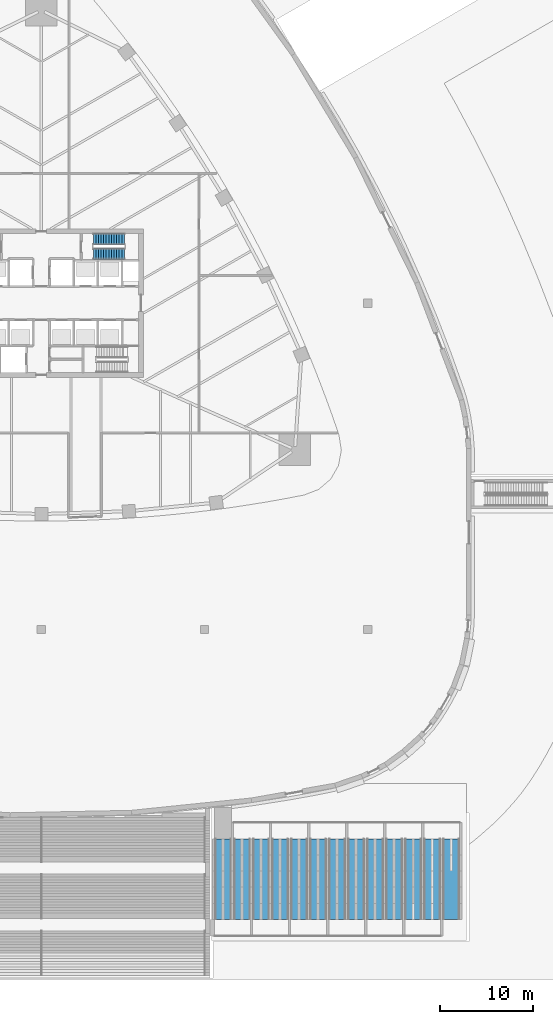
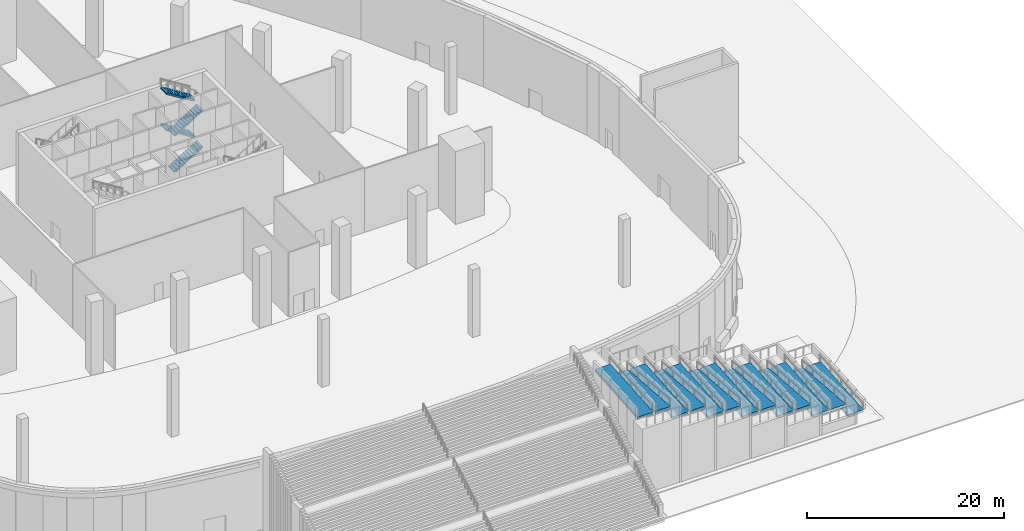
# One storey, part 16 of 29: 13 ramp flights, 4 stair flights, 2 elements without a shape of their own.
"""IFC4 building model written with IfcOpenShell, lengths in metres."""

from ifc_helpers import new_model, si_unit, direction, frame, origin, place, context, subcontext, project, spatial, polyline, outline, extrude, material, type_object, element, aggregate, save


model = new_model("IFC4")

# Units and contexts
model_context = context("Model", 3, precision=1e-05, world=origin(), true_north=direction((0.0, 1.0)))
body_context = subcontext(model_context, "Body", "Model", "MODEL_VIEW")
ifc_project = project(units=[si_unit("LENGTHUNIT", "METRE"), si_unit("AREAUNIT", "SQUARE_METRE"), si_unit("VOLUMEUNIT", "CUBIC_METRE"), si_unit("PLANEANGLEUNIT", "RADIAN"), si_unit("MASSUNIT", "GRAM", prefix="KILO")], contexts=[model_context])

# Site, building, storey
site_placement = place(None, origin())
site = spatial("IfcSite", under=ifc_project, at=site_placement, CompositionType="ELEMENT")
building_placement = place(site_placement, origin())
building = spatial("IfcBuilding", under=site, at=building_placement, Name="Sierra Prisma Convention Tower", CompositionType="ELEMENT")
storey_placement = place(building_placement, origin())
storey = spatial("IfcBuildingStorey", under=building, at=storey_placement, Name="L00", CompositionType="ELEMENT", Elevation=0.0)

# Stair, stair flights
ifc_material_1 = material(Name="Concrete C30/37", Category="concrete")
stair_type = type_object("IfcStairType", Name="Stair dog-leg 1200 RC", PredefinedType="HALF_TURN_STAIR", material=ifc_material_1)
stair_placement = place(storey_placement, origin())
stair = element("IfcStair", 1, at=stair_placement, inside=storey, type_object=stair_type, Name="L00 S4", PredefinedType="HALF_TURN_STAIR")
ifc_material_2 = material(Name="Concrete C30/37", Category="concrete")
stair_flight_type = type_object("IfcStairFlightType", Name="Stair flight RC 1200", PredefinedType="STRAIGHT", material=ifc_material_2)
stair_flight_1_placement = place(storey_placement, frame((5.60009765625, 5.300048828125, 0.0), z_axis=(0.0, 0.0, 1.0), x_axis=(1.0, 0.0, 0.0)))
stair_flight_1 = element("IfcStairFlight", 2, at=stair_flight_1_placement, type_object=stair_flight_type, Name="S4 flight 1", NumberOfRisers=13, NumberOfTreads=12, PredefinedType="STRAIGHT", RiserHeight=0.173076923, TreadLength=0.28, context=body_context, shape_type="SweptSolid", body=[
    extrude(outline(polyline([(0.0, 0.0), (0.0, 0.173095703125), (0.280029296875, 0.173095703125), (0.280029296875, 0.34619140625), (0.56005859375, 0.34619140625), (0.56005859375, 0.519287109375), (0.840087890625, 0.519287109375), (0.840087890625, 0.6923828125), (1.1201171875, 0.6923828125), (1.1201171875, 0.865478515625), (1.39990234375, 0.865478515625), (1.39990234375, 1.03857421875), (1.679931640625, 1.03857421875), (1.679931640625, 1.21142578125), (1.9599609375, 1.21142578125), (1.9599609375, 1.384521484375), (2.239990234375, 1.384521484375), (2.239990234375, 1.5576171875), (2.52001953125, 1.5576171875), (2.52001953125, 1.730712890625), (2.800048828125, 1.730712890625), (2.800048828125, 1.90380859375), (3.080078125, 1.90380859375), (3.080078125, 2.076904296875), (3.360107421875, 2.076904296875), (3.360107421875, 2.25), (3.360107421875, 1.900634765625), (0.28515625, 0.0), (0.0, 0.0)])), frame((0.0, 0.60009765625, 0.0), z_axis=(0.0, -1.0, 0.0), x_axis=(1.0, 0.0, 0.0)), (0.0, 0.0, 1.0), 1.199951171875),
])
stair_flight_2_placement = place(storey_placement, frame((8.9599609375, 6.89990234375, 2.25), z_axis=(0.0, 0.0, 1.0), x_axis=(-1.0, 0.0, 0.0)))
stair_flight_2 = element("IfcStairFlight", 3, at=stair_flight_2_placement, type_object=stair_flight_type, Name="S4 flight 2", NumberOfRisers=13, NumberOfTreads=12, PredefinedType="STRAIGHT", RiserHeight=0.173076923, TreadLength=0.28, context=body_context, shape_type="SweptSolid", body=[
    extrude(outline(polyline([(0.0, 0.0), (0.0, 0.173095703125), (0.280029296875, 0.173095703125), (0.280029296875, 0.34619140625), (0.56005859375, 0.34619140625), (0.56005859375, 0.519287109375), (0.840087890625, 0.519287109375), (0.840087890625, 0.6923828125), (1.1201171875, 0.6923828125), (1.1201171875, 0.865478515625), (1.39990234375, 0.865478515625), (1.39990234375, 1.03857421875), (1.679931640625, 1.03857421875), (1.679931640625, 1.21142578125), (1.9599609375, 1.21142578125), (1.9599609375, 1.384521484375), (2.239990234375, 1.384521484375), (2.239990234375, 1.5576171875), (2.52001953125, 1.5576171875), (2.52001953125, 1.730712890625), (2.800048828125, 1.730712890625), (2.800048828125, 1.90380859375), (3.080078125, 1.90380859375), (3.080078125, 2.076904296875), (3.360107421875, 2.076904296875), (3.360107421875, 2.25), (3.360107421875, 1.900634765625), (0.28515625, 0.0), (0.0, 0.0)])), frame((0.0, 0.60009765625, 0.0), z_axis=(0.0, -1.0, 0.0), x_axis=(1.0, 0.0, 0.0)), (0.0, 0.0, 1.0), 1.199951171875),
])
stair_flight_3_placement = place(storey_placement, frame((5.60009765625, 5.300048828125, 4.5), z_axis=(0.0, 0.0, 1.0), x_axis=(1.0, 0.0, 0.0)))
stair_flight_3 = element("IfcStairFlight", 4, at=stair_flight_3_placement, type_object=stair_flight_type, Name="S4 flight 3", NumberOfRisers=13, NumberOfTreads=12, PredefinedType="STRAIGHT", RiserHeight=0.173076923, TreadLength=0.28, context=body_context, shape_type="SweptSolid", body=[
    extrude(outline(polyline([(0.0, 0.0), (0.0, 0.173095703125), (0.280029296875, 0.173095703125), (0.280029296875, 0.34619140625), (0.56005859375, 0.34619140625), (0.56005859375, 0.519287109375), (0.840087890625, 0.519287109375), (0.840087890625, 0.6923828125), (1.1201171875, 0.6923828125), (1.1201171875, 0.865478515625), (1.39990234375, 0.865478515625), (1.39990234375, 1.03857421875), (1.679931640625, 1.03857421875), (1.679931640625, 1.21142578125), (1.9599609375, 1.21142578125), (1.9599609375, 1.384521484375), (2.239990234375, 1.384521484375), (2.239990234375, 1.5576171875), (2.52001953125, 1.5576171875), (2.52001953125, 1.730712890625), (2.800048828125, 1.730712890625), (2.800048828125, 1.90380859375), (3.080078125, 1.90380859375), (3.080078125, 2.076904296875), (3.360107421875, 2.076904296875), (3.360107421875, 2.25), (3.360107421875, 1.900634765625), (0.28515625, 0.0), (0.0, 0.0)])), frame((0.0, 0.60009765625, 0.0), z_axis=(0.0, -1.0, 0.0), x_axis=(1.0, 0.0, 0.0)), (0.0, 0.0, 1.0), 1.199951171875),
])
stair_flight_4_placement = place(storey_placement, frame((8.9599609375, 6.89990234375, 6.75), z_axis=(0.0, 0.0, 1.0), x_axis=(-1.0, 0.0, 0.0)))
stair_flight_4 = element("IfcStairFlight", 5, at=stair_flight_4_placement, type_object=stair_flight_type, Name="S4 flight 4", NumberOfRisers=13, NumberOfTreads=12, PredefinedType="STRAIGHT", RiserHeight=0.173076923, TreadLength=0.28, context=body_context, shape_type="SweptSolid", body=[
    extrude(outline(polyline([(0.0, 0.0), (0.0, 0.173095703125), (0.280029296875, 0.173095703125), (0.280029296875, 0.34619140625), (0.56005859375, 0.34619140625), (0.56005859375, 0.519287109375), (0.840087890625, 0.519287109375), (0.840087890625, 0.6923828125), (1.1201171875, 0.6923828125), (1.1201171875, 0.865478515625), (1.39990234375, 0.865478515625), (1.39990234375, 1.03857421875), (1.679931640625, 1.03857421875), (1.679931640625, 1.21142578125), (1.9599609375, 1.21142578125), (1.9599609375, 1.384521484375), (2.239990234375, 1.384521484375), (2.239990234375, 1.5576171875), (2.52001953125, 1.5576171875), (2.52001953125, 1.730712890625), (2.800048828125, 1.730712890625), (2.800048828125, 1.90380859375), (3.080078125, 1.90380859375), (3.080078125, 2.076904296875), (3.360107421875, 2.076904296875), (3.360107421875, 2.25), (3.360107421875, 1.900634765625), (0.28515625, 0.0), (0.0, 0.0)])), frame((0.0, 0.60009765625, 0.0), z_axis=(0.0, -1.0, 0.0), x_axis=(1.0, 0.0, 0.0)), (0.0, 0.0, 1.0), 1.199951171875),
])
aggregate(stair, [stair_flight_1, stair_flight_2, stair_flight_3, stair_flight_4])

# Ramp, ramp flights
ramp_placement = place(storey_placement, origin())
ramp = element("IfcRamp", 6, at=ramp_placement, inside=storey, Name="Accessible ramp to the garden deck", PredefinedType="NOTDEFINED")
ramp_flight_1_placement = place(storey_placement, frame((43.300048828125, -66.453857421875, 0.0), z_axis=(0.0, 0.0, 1.0), x_axis=(0.0, 1.0, 0.0)))
ramp_flight_1 = element("IfcRampFlight", 7, at=ramp_flight_1_placement, Name="Accessible ramp flight 1", PredefinedType="STRAIGHT", context=body_context, shape_type="SweptSolid", body=[
    extrude(outline(polyline([(0.0, -0.301025390625), (8.65380859375, 0.391357421875), (8.65380859375, 0.6923828125), (0.0, 0.0), (0.0, -0.301025390625)])), frame((0.0, 0.0, 0.0), z_axis=(0.0, -1.0, 0.0), x_axis=(1.0, 0.0, 0.0)), (0.0, 0.0, 1.0), 1.800048828125),
])
ramp_flight_2_placement = place(storey_placement, frame((41.25, -66.453857421875, 1.384521484375), z_axis=(0.0, 0.0, 1.0), x_axis=(0.0, 1.0, 0.0)))
ramp_flight_2 = element("IfcRampFlight", 8, at=ramp_flight_2_placement, Name="Accessible ramp flight 2", PredefinedType="STRAIGHT", context=body_context, shape_type="SweptSolid", body=[
    extrude(outline(polyline([(0.0, -0.301025390625), (8.65380859375, -0.9931640625), (8.65380859375, -0.692138671875), (0.0, 0.0), (0.0, -0.301025390625)])), frame((0.0, 0.0, 0.0), z_axis=(0.0, -1.0, 0.0), x_axis=(1.0, 0.0, 0.0)), (0.0, 0.0, 1.0), 1.800048828125),
])
ramp_flight_3_placement = place(storey_placement, frame((39.199951171875, -66.453857421875, 1.384521484375), z_axis=(0.0, 0.0, 1.0), x_axis=(0.0, 1.0, 0.0)))
ramp_flight_3 = element("IfcRampFlight", 9, at=ramp_flight_3_placement, Name="Accessible ramp flight 3", PredefinedType="STRAIGHT", context=body_context, shape_type="SweptSolid", body=[
    extrude(outline(polyline([(0.0, -0.301025390625), (8.65380859375, 0.391357421875), (8.65380859375, 0.6923828125), (0.0, 0.0), (0.0, -0.301025390625)])), frame((0.0, 0.0, 0.0), z_axis=(0.0, -1.0, 0.0), x_axis=(1.0, 0.0, 0.0)), (0.0, 0.0, 1.0), 1.800048828125),
])
ramp_flight_4_placement = place(storey_placement, frame((37.14990234375, -66.453857421875, 2.769287109375), z_axis=(0.0, 0.0, 1.0), x_axis=(0.0, 1.0, 0.0)))
ramp_flight_4 = element("IfcRampFlight", 10, at=ramp_flight_4_placement, Name="Accessible ramp flight 4", PredefinedType="STRAIGHT", context=body_context, shape_type="SweptSolid", body=[
    extrude(outline(polyline([(0.0, -0.301025390625), (8.65380859375, -0.993408203125), (8.65380859375, -0.6923828125), (0.0, 0.0), (0.0, -0.301025390625)])), frame((0.0, 0.0, 0.0), z_axis=(0.0, -1.0, 0.0), x_axis=(1.0, 0.0, 0.0)), (0.0, 0.0, 1.0), 1.800048828125),
])
ramp_flight_5_placement = place(storey_placement, frame((35.10009765625, -66.453857421875, 2.769287109375), z_axis=(0.0, 0.0, 1.0), x_axis=(0.0, 1.0, 0.0)))
ramp_flight_5 = element("IfcRampFlight", 11, at=ramp_flight_5_placement, Name="Accessible ramp flight 5", PredefinedType="STRAIGHT", context=body_context, shape_type="SweptSolid", body=[
    extrude(outline(polyline([(0.0, -0.301025390625), (8.65380859375, 0.39111328125), (8.65380859375, 0.692138671875), (0.0, 0.0), (0.0, -0.301025390625)])), frame((0.0, 0.0, 0.0), z_axis=(0.0, -1.0, 0.0), x_axis=(1.0, 0.0, 0.0)), (0.0, 0.0, 1.0), 1.7998046875),
])
ramp_flight_6_placement = place(storey_placement, frame((33.050048828125, -66.453857421875, 4.15380859375), z_axis=(0.0, 0.0, 1.0), x_axis=(0.0, 1.0, 0.0)))
ramp_flight_6 = element("IfcRampFlight", 12, at=ramp_flight_6_placement, Name="Accessible ramp flight 6", PredefinedType="STRAIGHT", context=body_context, shape_type="SweptSolid", body=[
    extrude(outline(polyline([(0.0, -0.301025390625), (8.65380859375, -0.993408203125), (8.65380859375, -0.6923828125), (0.0, 0.0), (0.0, -0.301025390625)])), frame((0.0, 0.0, 0.0), z_axis=(0.0, -1.0, 0.0), x_axis=(1.0, 0.0, 0.0)), (0.0, 0.0, 1.0), 1.800048828125),
])
ramp_flight_7_placement = place(storey_placement, frame((31.0, -66.453857421875, 4.15380859375), z_axis=(0.0, 0.0, 1.0), x_axis=(0.0, 1.0, 0.0)))
ramp_flight_7 = element("IfcRampFlight", 13, at=ramp_flight_7_placement, Name="Accessible ramp flight 7", PredefinedType="STRAIGHT", context=body_context, shape_type="SweptSolid", body=[
    extrude(outline(polyline([(0.0, -0.301025390625), (8.65380859375, 0.391357421875), (8.65380859375, 0.6923828125), (0.0, 0.0), (0.0, -0.301025390625)])), frame((0.0, 0.0, 0.0), z_axis=(0.0, -1.0, 0.0), x_axis=(1.0, 0.0, 0.0)), (0.0, 0.0, 1.0), 1.800048828125),
])
ramp_flight_8_placement = place(storey_placement, frame((28.949951171875, -66.453857421875, 5.53857421875), z_axis=(0.0, 0.0, 1.0), x_axis=(0.0, 1.0, 0.0)))
ramp_flight_8 = element("IfcRampFlight", 14, at=ramp_flight_8_placement, Name="Accessible ramp flight 8", PredefinedType="STRAIGHT", context=body_context, shape_type="SweptSolid", body=[
    extrude(outline(polyline([(0.0, -0.301025390625), (8.65380859375, -0.993408203125), (8.65380859375, -0.6923828125), (0.0, 0.0), (0.0, -0.301025390625)])), frame((0.0, 0.0, 0.0), z_axis=(0.0, -1.0, 0.0), x_axis=(1.0, 0.0, 0.0)), (0.0, 0.0, 1.0), 1.800048828125),
])
ramp_flight_9_placement = place(storey_placement, frame((26.89990234375, -66.453857421875, 5.53857421875), z_axis=(0.0, 0.0, 1.0), x_axis=(0.0, 1.0, 0.0)))
ramp_flight_9 = element("IfcRampFlight", 15, at=ramp_flight_9_placement, Name="Accessible ramp flight 9", PredefinedType="STRAIGHT", context=body_context, shape_type="SweptSolid", body=[
    extrude(outline(polyline([(0.0, -0.301025390625), (8.65380859375, 0.39111328125), (8.65380859375, 0.692138671875), (0.0, 0.0), (0.0, -0.301025390625)])), frame((0.0, 0.0, 0.0), z_axis=(0.0, -1.0, 0.0), x_axis=(1.0, 0.0, 0.0)), (0.0, 0.0, 1.0), 1.800048828125),
])
ramp_flight_10_placement = place(storey_placement, frame((24.85009765625, -66.453857421875, 6.923095703125), z_axis=(0.0, 0.0, 1.0), x_axis=(0.0, 1.0, 0.0)))
ramp_flight_10 = element("IfcRampFlight", 16, at=ramp_flight_10_placement, Name="Accessible ramp flight 10", PredefinedType="STRAIGHT", context=body_context, shape_type="SweptSolid", body=[
    extrude(outline(polyline([(0.0, -0.301025390625), (8.65380859375, -0.993408203125), (8.65380859375, -0.6923828125), (0.0, 0.0), (0.0, -0.301025390625)])), frame((0.0, 0.0, 0.0), z_axis=(0.0, -1.0, 0.0), x_axis=(1.0, 0.0, 0.0)), (0.0, 0.0, 1.0), 1.7998046875),
])
ramp_flight_11_placement = place(storey_placement, frame((22.800048828125, -66.453857421875, 6.923095703125), z_axis=(0.0, 0.0, 1.0), x_axis=(0.0, 1.0, 0.0)))
ramp_flight_11 = element("IfcRampFlight", 17, at=ramp_flight_11_placement, Name="Accessible ramp flight 11", PredefinedType="STRAIGHT", context=body_context, shape_type="SweptSolid", body=[
    extrude(outline(polyline([(0.0, -0.301025390625), (8.65380859375, 0.391357421875), (8.65380859375, 0.6923828125), (0.0, 0.0), (0.0, -0.301025390625)])), frame((0.0, 0.0, 0.0), z_axis=(0.0, -1.0, 0.0), x_axis=(1.0, 0.0, 0.0)), (0.0, 0.0, 1.0), 1.800048828125),
])
ramp_flight_12_placement = place(storey_placement, frame((20.75, -66.453857421875, 8.3076171875), z_axis=(0.0, 0.0, 1.0), x_axis=(0.0, 1.0, 0.0)))
ramp_flight_12 = element("IfcRampFlight", 18, at=ramp_flight_12_placement, Name="Accessible ramp flight 12", PredefinedType="STRAIGHT", context=body_context, shape_type="SweptSolid", body=[
    extrude(outline(polyline([(0.0, -0.301025390625), (8.65380859375, -0.9931640625), (8.65380859375, -0.692138671875), (0.0, 0.0), (0.0, -0.301025390625)])), frame((0.0, 0.0, 0.0), z_axis=(0.0, -1.0, 0.0), x_axis=(1.0, 0.0, 0.0)), (0.0, 0.0, 1.0), 1.800048828125),
])
ramp_flight_13_placement = place(storey_placement, frame((18.699951171875, -66.453857421875, 8.3076171875), z_axis=(0.0, 0.0, 1.0), x_axis=(0.0, 1.0, 0.0)))
ramp_flight_13 = element("IfcRampFlight", 19, at=ramp_flight_13_placement, Name="Accessible ramp flight 13", PredefinedType="STRAIGHT", context=body_context, shape_type="SweptSolid", body=[
    extrude(outline(polyline([(0.0, -0.301025390625), (8.65380859375, 0.391357421875), (8.65380859375, 0.6923828125), (0.0, 0.0), (0.0, -0.301025390625)])), frame((0.0, 0.0, 0.0), z_axis=(0.0, -1.0, 0.0), x_axis=(1.0, 0.0, 0.0)), (0.0, 0.0, 1.0), 1.800048828125),
])
aggregate(ramp, [ramp_flight_1, ramp_flight_2, ramp_flight_3, ramp_flight_4, ramp_flight_5, ramp_flight_6, ramp_flight_7, ramp_flight_8, ramp_flight_9, ramp_flight_10, ramp_flight_11, ramp_flight_12, ramp_flight_13])

save(model, "model.ifc")
